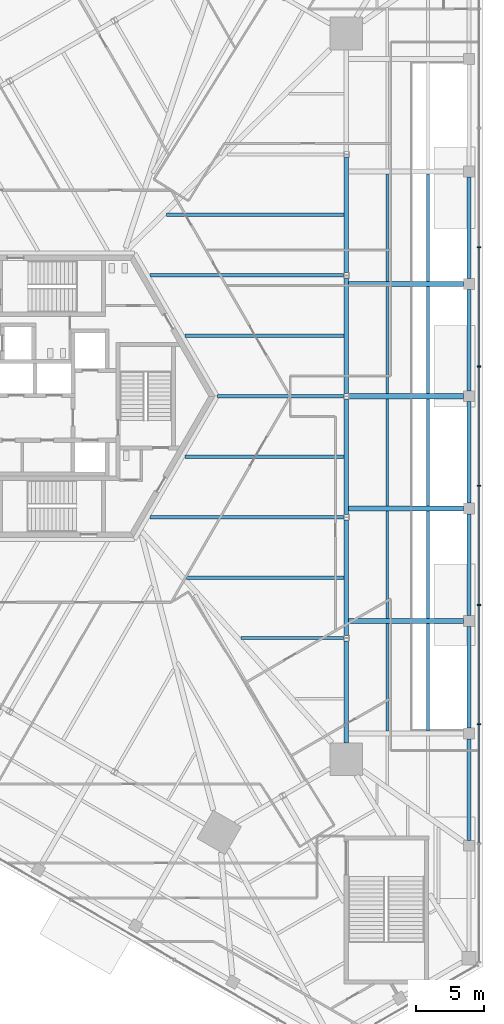
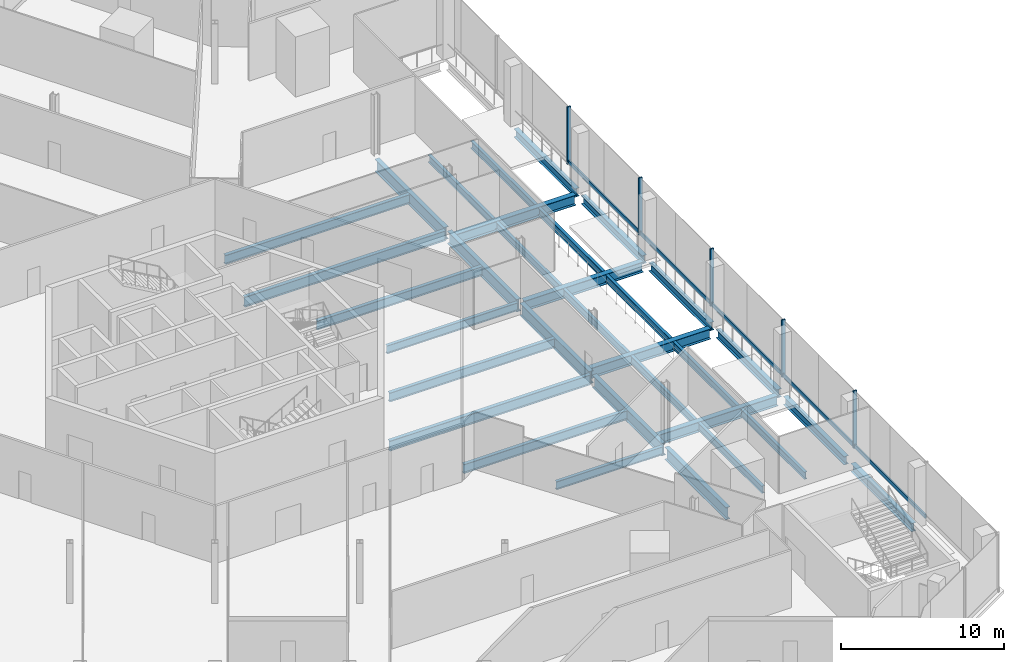
# One storey, part 11 of 27: 33 beams, 10 members, 1 element without a shape of its own.
"""IFC4 building model written with IfcOpenShell, lengths in metres."""

from ifc_helpers import new_model, si_unit, direction, frame, origin, origin_2d, place, context, subcontext, project, spatial, rectangle, i_section, extrude, source, transform, mapped, material, material_profile, profile_set, type_object, element, aggregate, save


model = new_model("IFC4")

# Units and contexts
model_context = context("Model", 3, precision=1e-05, world=origin(), true_north=direction((0.0, 1.0)))
body_context = subcontext(model_context, "Body", "Model", "MODEL_VIEW")
ifc_project = project(units=[si_unit("LENGTHUNIT", "METRE"), si_unit("AREAUNIT", "SQUARE_METRE"), si_unit("VOLUMEUNIT", "CUBIC_METRE"), si_unit("PLANEANGLEUNIT", "RADIAN"), si_unit("MASSUNIT", "GRAM", prefix="KILO")], contexts=[model_context])

# Site, building, storey
site_placement = place(None, origin())
site = spatial("IfcSite", under=ifc_project, at=site_placement, CompositionType="ELEMENT")
building_placement = place(site_placement, origin())
building = spatial("IfcBuilding", under=site, at=building_placement, Name="Triune Harvest Tower", CompositionType="ELEMENT")
storey_placement = place(building_placement, frame((0.0, 0.0, 7.0)))
storey = spatial("IfcBuildingStorey", under=building, at=storey_placement, Name="L01", CompositionType="ELEMENT", Elevation=7.0)

# Beams
ifc_material_1 = material(Name="Steel ASTM A992 Gr 50", Category="steel")
ifc_material_profile_1 = material_profile(ifc_material_1, i_section(OverallWidth=0.309814453125, OverallDepth=0.93212890625, WebThickness=0.02099609375, FlangeThickness=0.034423828125, at=origin_2d()), Name="W36x210")
ifc_profile_set_1 = profile_set([ifc_material_profile_1], Name="Steel ASTM A992 Gr 50")
beam_type_1 = type_object("IfcBeamType", Name="SB-3 Spandrel beam W36x210", PredefinedType="SPANDREL", material=ifc_profile_set_1)
shared_shape_1 = source(origin(), body_context, "Body", "SweptSolid", [
    extrude(i_section(OverallWidth=0.309814453125, OverallDepth=0.93212890625, WebThickness=0.02099609375, FlangeThickness=0.034423828125, at=origin_2d()), origin(), (0.0, 0.0, 1.0), 7.508056640625),
])
beam_1_placement = place(storey_placement, frame((21.679443359375, -25.530029296875, -0.666015625), z_axis=(0.0, 1.0, 0.0), x_axis=(-1.0, 0.0, 0.0)))
element("IfcBeam", 1, at=beam_1_placement, inside=storey, type_object=beam_type_1, Name="beam/L01/SB1", PredefinedType="SPANDREL", context=body_context, shape_type="MappedRepresentation", body=[
    mapped(shared_shape_1, transform((0.0, 0.0, 0.0), scale=1.0)),
])
shared_shape_2 = source(origin(), body_context, "Body", "SweptSolid", [
    extrude(i_section(OverallWidth=0.309814453125, OverallDepth=0.93212890625, WebThickness=0.02099609375, FlangeThickness=0.034423828125, at=origin_2d()), origin(), (0.0, 0.0, 1.0), 8.50634765625),
])
for number, where, z_axis, x_axis, name in (
    (2, (21.679443359375, -17.6181640625, -0.666015625), (0.0, 1.0, 0.0), (-1.0, 0.0, 0.0), "beam/L01/SB2"),
    (3, (21.679443359375, 9.11181640625, -0.666015625), (0.0, 1.0, 0.0), (-1.0, 0.0, 0.0), "beam/L01/SB5"),
):
    element("IfcBeam", number, at=place(storey_placement, frame(where, z_axis=z_axis, x_axis=x_axis)), inside=storey, type_object=beam_type_1, Name=name, PredefinedType="SPANDREL", context=body_context, shape_type="MappedRepresentation", body=[
        mapped(shared_shape_2, transform((0.0, 0.0, 0.0), scale=1.0)),
    ])
shared_shape_3 = source(origin(), body_context, "Body", "SweptSolid", [
    extrude(i_section(OverallWidth=0.309814453125, OverallDepth=0.93212890625, WebThickness=0.02099609375, FlangeThickness=0.034423828125, at=origin_2d()), origin(), (0.0, 0.0, 1.0), 8.506103515625),
])
for number, where, z_axis, x_axis, name in (
    (4, (21.679443359375, -8.7080078125, -0.666015625), (0.0, 1.0, 0.0), (-1.0, 0.0, 0.0), "beam/L01/SB3"),
    (5, (21.679443359375, 0.201904296875, -0.666015625), (0.0, 1.0, 0.0), (-1.0, 0.0, 0.0), "beam/L01/SB4"),
):
    element("IfcBeam", number, at=place(storey_placement, frame(where, z_axis=z_axis, x_axis=x_axis)), inside=storey, type_object=beam_type_1, Name=name, PredefinedType="SPANDREL", context=body_context, shape_type="MappedRepresentation", body=[
        mapped(shared_shape_3, transform((0.0, 0.0, 0.0), scale=1.0)),
    ])
ifc_material_2 = material(Name="Steel ASTM A992 Gr 50", Category="steel")
ifc_material_profile_2 = material_profile(ifc_material_2, i_section(OverallWidth=0.22900390625, OverallDepth=0.612060546875, WebThickness=0.011962890625, FlangeThickness=0.01953125, at=origin_2d()), Name="W24x84")
ifc_profile_set_2 = profile_set([ifc_material_profile_2], Name="Steel ASTM A992 Gr 50")
beam_type_2 = type_object("IfcBeamType", Name="JT-3 Floor joist W24x84", PredefinedType="JOIST", material=ifc_profile_set_2)
shared_shape_4 = source(origin(), body_context, "Body", "SweptSolid", [
    extrude(i_section(OverallWidth=0.22900390625, OverallDepth=0.612060546875, WebThickness=0.011962890625, FlangeThickness=0.01953125, at=origin_2d()), origin(), (0.0, 0.0, 1.0), 7.558349609375),
])
beam_2_placement = place(storey_placement, frame((21.476318359375, -17.820068359375, -0.506103515625), z_axis=(-1.0, 0.0, 0.0), x_axis=(0.0, -1.0, 0.0)))
element("IfcBeam", 6, at=beam_2_placement, inside=storey, type_object=beam_type_2, Name="beam/L01/JT2", PredefinedType="JOIST", context=body_context, shape_type="MappedRepresentation", body=[
    mapped(shared_shape_4, transform((0.0, 0.0, 0.0), scale=1.0)),
])
ifc_material_3 = material(Name="Steel ASTM A992 Gr 50", Category="steel")
ifc_material_profile_3 = material_profile(ifc_material_3, i_section(OverallWidth=0.253662109375, OverallDepth=0.683349609375, WebThickness=0.012451171875, FlangeThickness=0.01904296875, at=origin_2d()), Name="W27x94")
ifc_profile_set_3 = profile_set([ifc_material_profile_3], Name="Steel ASTM A992 Gr 50")
beam_type_3 = type_object("IfcBeamType", Name="JT-4 Floor joist W27x94", PredefinedType="JOIST", material=ifc_profile_set_3)
shared_shape_5 = source(origin(), body_context, "Body", "SweptSolid", [
    extrude(i_section(OverallWidth=0.253662109375, OverallDepth=0.683349609375, WebThickness=0.012451171875, FlangeThickness=0.01904296875, at=origin_2d()), origin(), (0.0, 0.0, 1.0), 11.61669921875),
])
beam_3_placement = place(storey_placement, frame((21.524658203125, -13.364990234375, -0.54150390625), z_axis=(-1.0, 0.0, 0.0), x_axis=(0.0, -1.0, 0.0)))
element("IfcBeam", 7, at=beam_3_placement, inside=storey, type_object=beam_type_3, Name="beam/L01/JT3", PredefinedType="JOIST", context=body_context, shape_type="MappedRepresentation", body=[
    mapped(shared_shape_5, transform((0.0, 0.0, 0.0), scale=1.0)),
])
ifc_material_4 = material(Name="Steel ASTM A992 Gr 50", Category="steel")
ifc_material_profile_4 = material_profile(ifc_material_4, i_section(OverallWidth=0.2666015625, OverallDepth=0.7568359375, WebThickness=0.013916015625, FlangeThickness=0.019287109375, at=origin_2d()), Name="W30x108")
ifc_profile_set_4 = profile_set([ifc_material_profile_4], Name="Steel ASTM A992 Gr 50")
beam_type_4 = type_object("IfcBeamType", Name="JT-5 Floor joist W30x108", PredefinedType="JOIST", material=ifc_profile_set_4)
shared_shape_6 = source(origin(), body_context, "Body", "SweptSolid", [
    extrude(i_section(OverallWidth=0.2666015625, OverallDepth=0.7568359375, WebThickness=0.013916015625, FlangeThickness=0.019287109375, at=origin_2d()), origin(), (0.0, 0.0, 1.0), 14.2685546875),
])
for number, where, z_axis, x_axis, name in (
    (8, (21.476318359375, -8.909912109375, -0.57861328125), (-1.0, 0.0, 0.0), (0.0, -1.0, 0.0), "beam/L01/JT4"),
    (9, (21.476318359375, 8.909912109375, -0.57861328125), (-1.0, 0.0, 0.0), (0.0, -1.0, 0.0), "beam/L01/JT8"),
):
    element("IfcBeam", number, at=place(storey_placement, frame(where, z_axis=z_axis, x_axis=x_axis)), inside=storey, type_object=beam_type_4, Name=name, PredefinedType="JOIST", context=body_context, shape_type="MappedRepresentation", body=[
        mapped(shared_shape_6, transform((0.0, 0.0, 0.0), scale=1.0)),
    ])
shared_shape_7 = source(origin(), body_context, "Body", "SweptSolid", [
    extrude(i_section(OverallWidth=0.253662109375, OverallDepth=0.683349609375, WebThickness=0.012451171875, FlangeThickness=0.01904296875, at=origin_2d()), origin(), (0.0, 0.0, 1.0), 11.744873046875),
])
for number, where, z_axis, x_axis, name in (
    (10, (21.524658203125, -4.455078125, -0.54150390625), (-1.0, 0.0, 0.0), (0.0, -1.0, 0.0), "beam/L01/JT5"),
    (11, (21.524658203125, 4.455078125, -0.54150390625), (-1.0, 0.0, 0.0), (0.0, -1.0, 0.0), "beam/L01/JT7"),
):
    element("IfcBeam", number, at=place(storey_placement, frame(where, z_axis=z_axis, x_axis=x_axis)), inside=storey, type_object=beam_type_3, Name=name, PredefinedType="JOIST", context=body_context, shape_type="MappedRepresentation", body=[
        mapped(shared_shape_7, transform((0.0, 0.0, 0.0), scale=1.0)),
    ])
shared_shape_8 = source(origin(), body_context, "Body", "SweptSolid", [
    extrude(i_section(OverallWidth=0.22900390625, OverallDepth=0.612060546875, WebThickness=0.011962890625, FlangeThickness=0.01953125, at=origin_2d()), origin(), (0.0, 0.0, 1.0), 9.30029296875),
])
beam_4_placement = place(storey_placement, frame((21.476318359375, 0.0, -0.506103515625), z_axis=(-1.0, 0.0, 0.0), x_axis=(0.0, -1.0, 0.0)))
element("IfcBeam", 12, at=beam_4_placement, inside=storey, type_object=beam_type_2, Name="beam/L01/JT6", PredefinedType="JOIST", context=body_context, shape_type="MappedRepresentation", body=[
    mapped(shared_shape_8, transform((0.0, 0.0, 0.0), scale=1.0)),
])
shared_shape_9 = source(origin(), body_context, "Body", "SweptSolid", [
    extrude(i_section(OverallWidth=0.253662109375, OverallDepth=0.683349609375, WebThickness=0.012451171875, FlangeThickness=0.01904296875, at=origin_2d()), origin(), (0.0, 0.0, 1.0), 13.107666015625),
])
beam_5_placement = place(storey_placement, frame((21.524658203125, 13.364990234375, -0.54150390625), z_axis=(-1.0, 0.0, 0.0), x_axis=(0.0, -1.0, 0.0)))
element("IfcBeam", 13, at=beam_5_placement, inside=storey, type_object=beam_type_3, Name="beam/L01/JT9", PredefinedType="JOIST", context=body_context, shape_type="MappedRepresentation", body=[
    mapped(shared_shape_9, transform((0.0, 0.0, 0.0), scale=1.0)),
])
ifc_material_5 = material(Name="Steel ASTM A992 Gr 50", Category="steel")
ifc_material_profile_5 = material_profile(ifc_material_5, i_section(OverallWidth=0.32763671875, OverallDepth=0.62744140625, WebThickness=0.0166015625, FlangeThickness=0.027587890625, at=origin_2d()), Name="W24x146")
ifc_profile_set_5 = profile_set([ifc_material_profile_5], Name="Steel ASTM A992 Gr 50")
beam_type_5 = type_object("IfcBeamType", Name="PD-4 Podium edge beam W24x146", PredefinedType="BEAM", material=ifc_profile_set_5)
shared_shape_10 = source(origin(), body_context, "Body", "SweptSolid", [
    extrude(i_section(OverallWidth=0.32763671875, OverallDepth=0.62744140625, WebThickness=0.0166015625, FlangeThickness=0.027587890625, at=origin_2d()), origin(), (0.0, 0.0, 1.0), 7.47998046875),
])
for number, where, z_axis, x_axis, name in (
    (14, (30.715087890625, -32.719970703125, -0.513671875), (0.0, 1.0, 0.0), (-1.0, 0.0, 0.0), "beam/L01/PE2"),
    (15, (30.715087890625, -24.43994140625, -0.513671875), (0.0, 1.0, 0.0), (-1.0, 0.0, 0.0), "beam/L01/PE3"),
    (16, (30.715087890625, -16.159912109375, -0.513671875), (0.0, 1.0, 0.0), (-1.0, 0.0, 0.0), "beam/L01/PE4"),
    (17, (30.715087890625, -7.8798828125, -0.513671875), (0.0, 1.0, 0.0), (-1.0, 0.0, 0.0), "beam/L01/PE5"),
    (18, (30.715087890625, 0.39990234375, -0.513671875), (0.0, 1.0, 0.0), (-1.0, 0.0, 0.0), "beam/L01/PE6"),
    (19, (30.715087890625, 8.679931640625, -0.513671875), (0.0, 1.0, 0.0), (-1.0, 0.0, 0.0), "beam/L01/PE7"),
):
    element("IfcBeam", number, at=place(storey_placement, frame(where, z_axis=z_axis, x_axis=x_axis)), inside=storey, type_object=beam_type_5, Name=name, PredefinedType="BEAM", context=body_context, shape_type="MappedRepresentation", body=[
        mapped(shared_shape_10, transform((0.0, 0.0, 0.0), scale=1.0)),
    ])
ifc_material_6 = material(Name="Steel ASTM A992 Gr 50", Category="steel")
ifc_material_profile_6 = material_profile(ifc_material_6, i_section(OverallWidth=0.381103515625, OverallDepth=0.772216796875, WebThickness=0.0166015625, FlangeThickness=0.027099609375, at=origin_2d()), Name="W30x173")
ifc_profile_set_6 = profile_set([ifc_material_profile_6], Name="Steel ASTM A992 Gr 50")
beam_type_6 = type_object("IfcBeamType", Name="PD-3 Podium girder W30x173", PredefinedType="BEAM", material=ifc_profile_set_6)
shared_shape_11 = source(origin(), body_context, "Body", "SweptSolid", [
    extrude(i_section(OverallWidth=0.381103515625, OverallDepth=0.772216796875, WebThickness=0.0166015625, FlangeThickness=0.027099609375, at=origin_2d()), origin(), (0.0, 0.0, 1.0), 8.480712890625),
])
for number, where, z_axis, x_axis, name in (
    (20, (30.315185546875, -16.56005859375, -0.586181640625), (-1.0, 0.0, 0.0), (0.0, -1.0, 0.0), "beam/L01/PR5"),
    (21, (30.315185546875, -8.280029296875, -0.586181640625), (-1.0, 0.0, 0.0), (0.0, -1.0, 0.0), "beam/L01/PR6"),
    (22, (30.315185546875, 8.280029296875, -0.586181640625), (-1.0, 0.0, 0.0), (0.0, -1.0, 0.0), "beam/L01/PR8"),
):
    element("IfcBeam", number, at=place(storey_placement, frame(where, z_axis=z_axis, x_axis=x_axis)), inside=storey, type_object=beam_type_6, Name=name, PredefinedType="BEAM", context=body_context, shape_type="MappedRepresentation", body=[
        mapped(shared_shape_11, transform((0.0, 0.0, 0.0), scale=1.0)),
    ])
shared_shape_12 = source(origin(), body_context, "Body", "SweptSolid", [
    extrude(i_section(OverallWidth=0.381103515625, OverallDepth=0.772216796875, WebThickness=0.0166015625, FlangeThickness=0.027099609375, at=origin_2d()), origin(), (0.0, 0.0, 1.0), 8.432373046875),
])
beam_6_placement = place(storey_placement, frame((30.315185546875, 0.0, -0.586181640625), z_axis=(-1.0, 0.0, 0.0), x_axis=(0.0, -1.0, 0.0)))
element("IfcBeam", 23, at=beam_6_placement, inside=storey, type_object=beam_type_6, Name="beam/L01/PR7", PredefinedType="BEAM", context=body_context, shape_type="MappedRepresentation", body=[
    mapped(shared_shape_12, transform((0.0, 0.0, 0.0), scale=1.0)),
])
ifc_material_7 = material(Name="Steel ASTM A992 Gr 50", Category="steel")
ifc_material_profile_7 = material_profile(ifc_material_7, i_section(OverallWidth=0.2138671875, OverallDepth=0.548583984375, WebThickness=0.0146484375, FlangeThickness=0.023681640625, at=origin_2d()), Name="W21x93")
ifc_profile_set_7 = profile_set([ifc_material_profile_7], Name="Steel ASTM A992 Gr 50")
beam_type_7 = type_object("IfcBeamType", Name="PD-5 Podium joist W21x93", PredefinedType="JOIST", material=ifc_profile_set_7)
shared_shape_13 = source(origin(), body_context, "Body", "SweptSolid", [
    extrude(i_section(OverallWidth=0.2138671875, OverallDepth=0.548583984375, WebThickness=0.0146484375, FlangeThickness=0.023681640625, at=origin_2d()), origin(), (0.0, 0.0, 1.0), 7.89892578125),
])
for number, where, z_axis, x_axis, name in (
    (24, (27.703125, -24.6494140625, -0.474365234375), (0.0, 1.0, 0.0), (-1.0, 0.0, 0.0), "beam/L01/PJ6"),
    (25, (24.69140625, -24.6494140625, -0.474365234375), (0.0, 1.0, 0.0), (-1.0, 0.0, 0.0), "beam/L01/PJ7"),
    (26, (27.703125, -16.369384765625, -0.474365234375), (0.0, 1.0, 0.0), (-1.0, 0.0, 0.0), "beam/L01/PJ8"),
    (27, (24.69140625, -16.369384765625, -0.474365234375), (0.0, 1.0, 0.0), (-1.0, 0.0, 0.0), "beam/L01/PJ9"),
    (28, (27.703125, 8.470458984375, -0.474365234375), (0.0, 1.0, 0.0), (-1.0, 0.0, 0.0), "beam/L01/PJ14"),
    (29, (24.69140625, 8.470458984375, -0.474365234375), (0.0, 1.0, 0.0), (-1.0, 0.0, 0.0), "beam/L01/PJ15"),
):
    element("IfcBeam", number, at=place(storey_placement, frame(where, z_axis=z_axis, x_axis=x_axis)), inside=storey, type_object=beam_type_7, Name=name, PredefinedType="JOIST", context=body_context, shape_type="MappedRepresentation", body=[
        mapped(shared_shape_13, transform((0.0, 0.0, 0.0), scale=1.0)),
    ])
shared_shape_14 = source(origin(), body_context, "Body", "SweptSolid", [
    extrude(i_section(OverallWidth=0.2138671875, OverallDepth=0.548583984375, WebThickness=0.0146484375, FlangeThickness=0.023681640625, at=origin_2d()), origin(), (0.0, 0.0, 1.0), 7.899169921875),
])
for number, where, z_axis, x_axis, name in (
    (30, (27.703125, -8.089599609375, -0.474365234375), (0.0, 1.0, 0.0), (-1.0, 0.0, 0.0), "beam/L01/PJ10"),
    (31, (24.69140625, -8.089599609375, -0.474365234375), (0.0, 1.0, 0.0), (-1.0, 0.0, 0.0), "beam/L01/PJ11"),
    (32, (27.703125, 0.1904296875, -0.474365234375), (0.0, 1.0, 0.0), (-1.0, 0.0, 0.0), "beam/L01/PJ12"),
    (33, (24.69140625, 0.1904296875, -0.474365234375), (0.0, 1.0, 0.0), (-1.0, 0.0, 0.0), "beam/L01/PJ13"),
):
    element("IfcBeam", number, at=place(storey_placement, frame(where, z_axis=z_axis, x_axis=x_axis)), inside=storey, type_object=beam_type_7, Name=name, PredefinedType="JOIST", context=body_context, shape_type="MappedRepresentation", body=[
        mapped(shared_shape_14, transform((0.0, 0.0, 0.0), scale=1.0)),
    ])

# Curtain wall, members
ifc_material_8 = material(Name="Aluminium bronze anodised", Category="aluminium")
curtain_wall_type = type_object("IfcCurtainWallType", Name="CW-2 Podium shopfront wall", PredefinedType="NOTDEFINED", material=ifc_material_8)
curtain_wall_placement = place(storey_placement, origin())
curtain_wall = element("IfcCurtainWall", 34, at=curtain_wall_placement, inside=storey, type_object=curtain_wall_type, Name="CW-2 PD-F1 L01 run 1")
ifc_material_9 = material(Name="Aluminium bronze anodised", Category="aluminium")
ifc_material_profile_8 = material_profile(ifc_material_9, rectangle(XDim=0.25, YDim=0.090087890625, at=origin_2d()), Name="MU-2 mullion 90 x 250")
ifc_profile_set_8 = profile_set([ifc_material_profile_8], Name="Aluminium bronze anodised")
member_type_1 = type_object("IfcMemberType", Name="MU-2 mullion 90 x 250", PredefinedType="MULLION", material=ifc_profile_set_8)
shared_shape_15 = source(origin(), body_context, "Body", "SweptSolid", [
    extrude(rectangle(XDim=0.25, YDim=0.090087890625, at=origin_2d()), origin(), (0.0, 0.0, 1.0), 4.300048828125),
])
member_1_placement = place(storey_placement, frame((31.454345703125, -24.163330078125, 0.0), z_axis=(0.0, 0.0, 1.0), x_axis=(-1.0, 0.0, 0.0)))
member_1 = element("IfcMember", 35, at=member_1_placement, type_object=member_type_1, Name="CW-2 mullion PD-F1 1.5", PredefinedType="MULLION", context=body_context, shape_type="MappedRepresentation", body=[
    mapped(shared_shape_15, transform((0.0, 0.0, 0.0), scale=1.0)),
])
member_2_placement = place(storey_placement, frame((31.454345703125, -15.376708984375, 0.0), z_axis=(0.0, 0.0, 1.0), x_axis=(-1.0, 0.0, 0.0)))
member_2 = element("IfcMember", 36, at=member_2_placement, type_object=member_type_1, Name="CW-2 mullion PD-F1 1.7", PredefinedType="MULLION", context=body_context, shape_type="MappedRepresentation", body=[
    mapped(shared_shape_15, transform((0.0, 0.0, 0.0), scale=1.0)),
])
member_3_placement = place(storey_placement, frame((31.454345703125, -6.590087890625, 0.0), z_axis=(0.0, 0.0, 1.0), x_axis=(-1.0, 0.0, 0.0)))
member_3 = element("IfcMember", 37, at=member_3_placement, type_object=member_type_1, Name="CW-2 mullion PD-F1 1.9", PredefinedType="MULLION", context=body_context, shape_type="MappedRepresentation", body=[
    mapped(shared_shape_15, transform((0.0, 0.0, 0.0), scale=1.0)),
])
member_4_placement = place(storey_placement, frame((31.454345703125, 2.19677734375, 0.0), z_axis=(0.0, 0.0, 1.0), x_axis=(-1.0, 0.0, 0.0)))
member_4 = element("IfcMember", 38, at=member_4_placement, type_object=member_type_1, Name="CW-2 mullion PD-F1 1.11", PredefinedType="MULLION", context=body_context, shape_type="MappedRepresentation", body=[
    mapped(shared_shape_15, transform((0.0, 0.0, 0.0), scale=1.0)),
])
member_5_placement = place(storey_placement, frame((31.454345703125, 10.9833984375, 0.0), z_axis=(0.0, 0.0, 1.0), x_axis=(-1.0, 0.0, 0.0)))
member_5 = element("IfcMember", 39, at=member_5_placement, type_object=member_type_1, Name="CW-2 mullion PD-F1 1.13", PredefinedType="MULLION", context=body_context, shape_type="MappedRepresentation", body=[
    mapped(shared_shape_15, transform((0.0, 0.0, 0.0), scale=1.0)),
])
ifc_material_10 = material(Name="Aluminium bronze anodised", Category="aluminium")
ifc_material_profile_9 = material_profile(ifc_material_10, rectangle(XDim=0.10009765625, YDim=0.300048828125, at=origin_2d()), Name="TR-2 transom 100 x 300")
ifc_profile_set_9 = profile_set([ifc_material_profile_9], Name="Aluminium bronze anodised")
member_type_2 = type_object("IfcMemberType", Name="TR-2 transom 100 x 300", PredefinedType="USERDEFINED", material=ifc_profile_set_9)
shared_shape_16 = source(origin(), body_context, "Body", "SweptSolid", [
    extrude(rectangle(XDim=0.10009765625, YDim=0.300048828125, at=origin_2d()), origin(), (0.0, 0.0, 1.0), 8.696533203125),
])
member_6_placement = place(storey_placement, frame((31.454345703125, -32.905029296875, 0.14990234375), z_axis=(0.0, 1.0, 0.0), x_axis=(-1.0, 0.0, 0.0)))
member_6 = element("IfcMember", 40, at=member_6_placement, type_object=member_type_2, Name="CW-2 transom PD-F1 1.2", ObjectType="TRANSOM", PredefinedType="USERDEFINED", context=body_context, shape_type="MappedRepresentation", body=[
    mapped(shared_shape_16, transform((0.0, 0.0, 0.0), scale=1.0)),
])
member_7_placement = place(storey_placement, frame((31.454345703125, -6.544921875, 0.14990234375), z_axis=(0.0, 1.0, 0.0), x_axis=(-1.0, 0.0, 0.0)))
member_7 = element("IfcMember", 41, at=member_7_placement, type_object=member_type_2, Name="CW-2 transom PD-F1 1.5", ObjectType="TRANSOM", PredefinedType="USERDEFINED", context=body_context, shape_type="MappedRepresentation", body=[
    mapped(shared_shape_16, transform((0.0, 0.0, 0.0), scale=1.0)),
])
shared_shape_17 = source(origin(), body_context, "Body", "SweptSolid", [
    extrude(rectangle(XDim=0.10009765625, YDim=0.300048828125, at=origin_2d()), origin(), (0.0, 0.0, 1.0), 8.69677734375),
])
member_8_placement = place(storey_placement, frame((31.454345703125, -24.118408203125, 0.14990234375), z_axis=(0.0, 1.0, 0.0), x_axis=(-1.0, 0.0, 0.0)))
member_8 = element("IfcMember", 42, at=member_8_placement, type_object=member_type_2, Name="CW-2 transom PD-F1 1.3", ObjectType="TRANSOM", PredefinedType="USERDEFINED", context=body_context, shape_type="MappedRepresentation", body=[
    mapped(shared_shape_17, transform((0.0, 0.0, 0.0), scale=1.0)),
])
member_9_placement = place(storey_placement, frame((31.454345703125, -15.331787109375, 0.14990234375), z_axis=(0.0, 1.0, 0.0), x_axis=(-1.0, 0.0, 0.0)))
member_9 = element("IfcMember", 43, at=member_9_placement, type_object=member_type_2, Name="CW-2 transom PD-F1 1.4", ObjectType="TRANSOM", PredefinedType="USERDEFINED", context=body_context, shape_type="MappedRepresentation", body=[
    mapped(shared_shape_17, transform((0.0, 0.0, 0.0), scale=1.0)),
])
member_10_placement = place(storey_placement, frame((31.454345703125, 2.24169921875, 0.14990234375), z_axis=(0.0, 1.0, 0.0), x_axis=(-1.0, 0.0, 0.0)))
member_10 = element("IfcMember", 44, at=member_10_placement, type_object=member_type_2, Name="CW-2 transom PD-F1 1.6", ObjectType="TRANSOM", PredefinedType="USERDEFINED", context=body_context, shape_type="MappedRepresentation", body=[
    mapped(shared_shape_17, transform((0.0, 0.0, 0.0), scale=1.0)),
])
aggregate(curtain_wall, [member_1, member_2, member_3, member_4, member_5, member_6, member_8, member_9, member_7, member_10])

save(model, "model.ifc")
